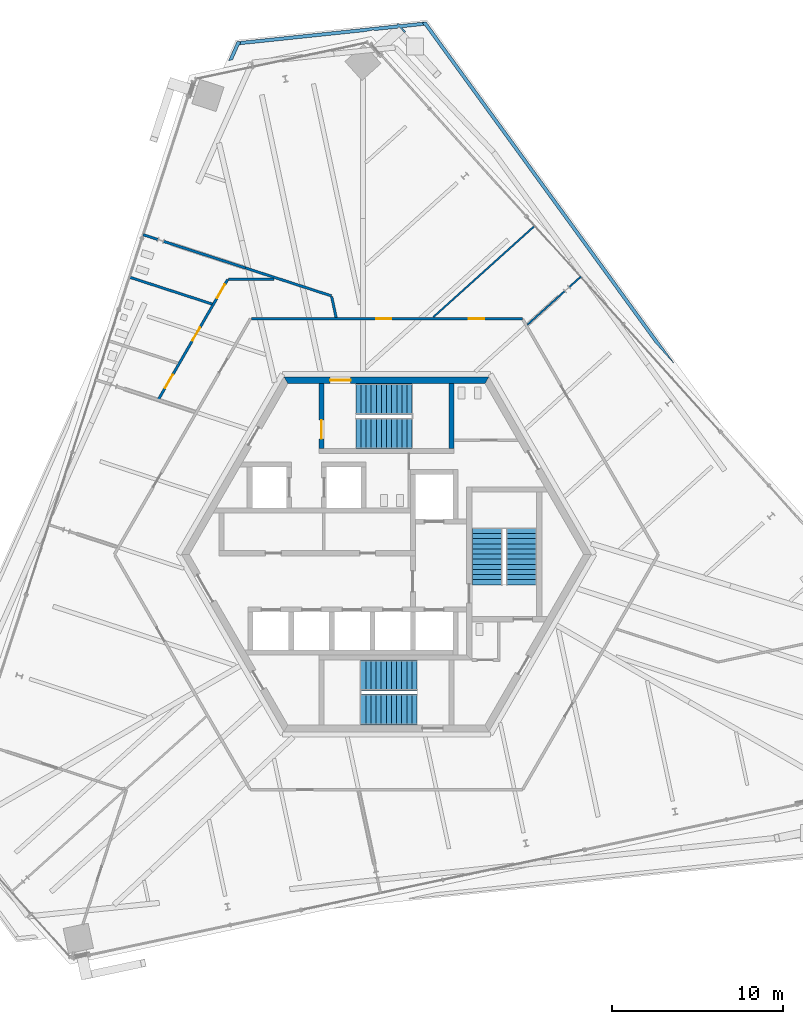
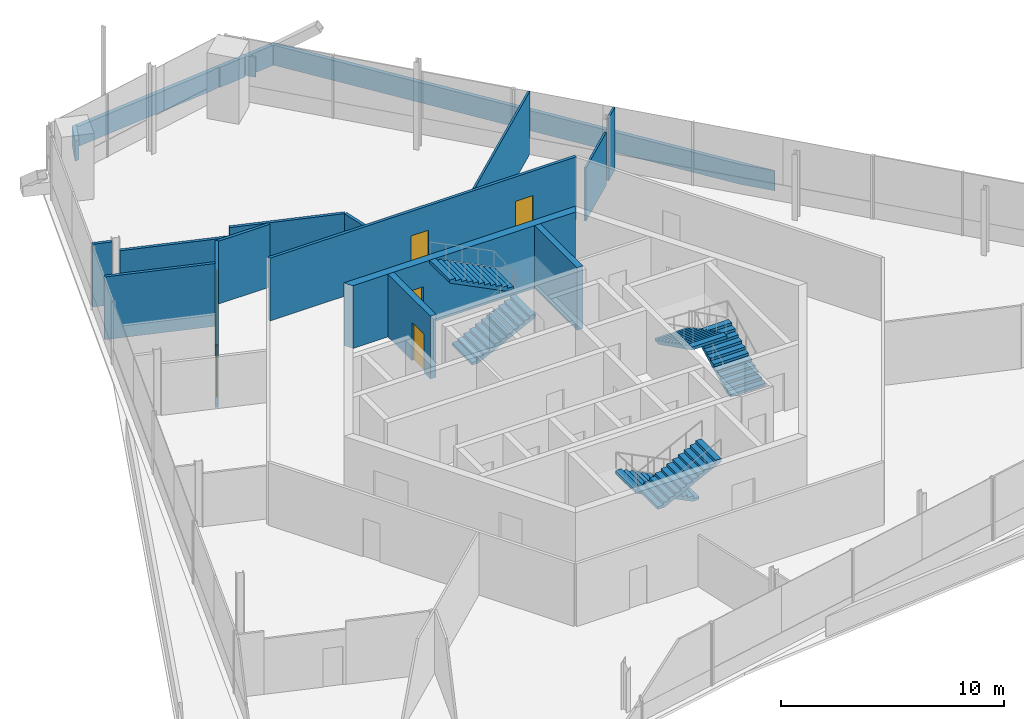
# One storey, part 16 of 20: 17 walls, 7 doors, 6 stair flights, 7 openings, 3 elements without a shape of their own.
"""IFC4 building model written with IfcOpenShell, lengths in metres."""

from ifc_helpers import new_model, si_unit, direction, frame, frame_2d, origin, place, context, subcontext, project, spatial, polyline, rectangle, outline, extrude, source, transform, mapped, material, layer, layer_set, type_object, element, fill, aggregate, save


model = new_model("IFC4")

# Units and contexts
model_context = context("Model", 3, precision=1e-05, world=origin(), true_north=direction((0.0, 1.0)))
body_context = subcontext(model_context, "Body", "Model", "MODEL_VIEW")
ifc_project = project(units=[si_unit("LENGTHUNIT", "METRE"), si_unit("AREAUNIT", "SQUARE_METRE"), si_unit("VOLUMEUNIT", "CUBIC_METRE"), si_unit("PLANEANGLEUNIT", "RADIAN"), si_unit("MASSUNIT", "GRAM", prefix="KILO")], contexts=[model_context])

# Site, building, storey
site_placement = place(None, origin())
site = spatial("IfcSite", under=ifc_project, at=site_placement, CompositionType="ELEMENT")
building_placement = place(site_placement, origin())
building = spatial("IfcBuilding", under=site, at=building_placement, Name="Triune Harvest Tower", CompositionType="ELEMENT")
storey_placement = place(building_placement, frame((0.0, 0.0, 259.5)))
storey = spatial("IfcBuildingStorey", under=building, at=storey_placement, Name="L68", CompositionType="ELEMENT", Elevation=259.5)

# Walls
ifc_material_1 = material(Name="Concrete 40 MPa", Category="concrete")
ifc_layer_1 = layer(ifc_material_1, 0.199951171875)
ifc_layer_set_1 = layer_set([ifc_layer_1], Name="Concrete 40 MPa")
wall_type_1 = type_object("IfcWallType", Name="PA-1 parapet 200", PredefinedType="PARAPET", material=ifc_layer_set_1)
wall_1_placement = place(storey_placement, origin())
element("IfcWall", 1, at=wall_1_placement, inside=storey, type_object=wall_type_1, Name="Parapet wedge L67 2.1", PredefinedType="PARAPET", context=body_context, shape_type="SweptSolid", body=[
    extrude(outline(polyline([(-8.59521484375, 29.826171875), (-8.6181640625, 29.82373046875), (-9.008544921875, 28.947021484375), (-9.25048828125, 28.8955078125), (-8.75390625, 30.010498046875), (-8.63916015625, 30.022705078125), (-8.529296875, 29.973876953125), (-8.59521484375, 29.826171875)])), origin(), (0.0, 0.0, 1.0), 1.10009765625),
])
wall_2_placement = place(storey_placement, origin())
element("IfcWall", 2, at=wall_2_placement, inside=storey, type_object=wall_type_1, Name="Parapet wedge L67 2.2", PredefinedType="PARAPET", context=body_context, shape_type="SweptSolid", body=[
    extrude(outline(polyline([(16.813720703125, 11.22998046875), (16.790771484375, 11.21142578125), (15.69970703125, 12.42333984375), (2.229248046875, 30.964111328125), (2.206298828125, 30.961669921875), (2.111083984375, 31.09228515625), (2.208251953125, 31.1630859375), (2.3232421875, 31.175048828125), (16.813720703125, 11.22998046875)])), origin(), (0.0, 0.0, 1.0), 1.10009765625),
])
wall_3_placement = place(storey_placement, origin())
element("IfcWall", 3, at=wall_3_placement, inside=storey, type_object=wall_type_1, Name="Parapet wedge L67 2.3", PredefinedType="PARAPET", context=body_context, shape_type="SweptSolid", body=[
    extrude(outline(polyline([(-8.59521484375, 29.826171875), (-8.529296875, 29.973876953125), (-8.63916015625, 30.022705078125), (0.639892578125, 30.998046875), (0.614990234375, 31.025634765625), (0.68408203125, 31.087890625), (0.754150390625, 31.010009765625), (2.208251953125, 31.1630859375), (2.111083984375, 31.09228515625), (2.206298828125, 30.961669921875), (0.919677734375, 30.826416015625), (1.119140625, 30.604736328125), (1.050048828125, 30.542724609375), (0.738525390625, 30.888671875), (0.63623046875, 30.796630859375), (-0.7158203125, 30.654541015625), (-0.757568359375, 30.700927734375), (-1.230224609375, 30.600341796875), (-8.59521484375, 29.826171875)])), origin(), (0.0, 0.0, 1.0), 1.10009765625),
])
ifc_material_2 = material(Name="Gypsum board on steel studs", Category="steel")
ifc_layer_2 = layer(ifc_material_2, 0.10009765625)
ifc_layer_set_2 = layer_set([ifc_layer_2], Name="Gypsum board on steel studs")
wall_type_2 = type_object("IfcWallType", Name="Partition 100 mm", PredefinedType="PARTITIONING", material=ifc_layer_set_2)
wall_4_placement = place(storey_placement, frame((2.746337890625, 13.885986328125, 0.0), z_axis=(0.0, 0.0, 1.0), x_axis=(0.743151444716, 0.669123254877, 0.0)))
element("IfcWall", 4, at=wall_4_placement, inside=storey, type_object=wall_type_2, Name="Partition L68 026", PredefinedType="PARTITIONING", context=body_context, shape_type="SweptSolid", body=[
    extrude(rectangle(XDim=7.99755859375, YDim=0.10009765625, at=frame_2d((3.998779296875, 0.0))), origin(), (0.0, 0.0, 1.0), 3.43994140625),
])

# Wall, opening, door
ifc_material_3 = material(Name="Concrete 70 MPa", Category="concrete")
ifc_layer_3 = layer(ifc_material_3, 0.39990234375)
ifc_layer_set_3 = layer_set([ifc_layer_3], Name="Concrete 70 MPa")
wall_type_3 = type_object("IfcWallType", Name="Core wall 400", PredefinedType="SHEAR", material=ifc_layer_set_3)
shared_shape_1 = source(origin(), body_context, "Body", "SweptSolid", [
    extrude(outline(polyline([(-0.115478515625, -0.199951171875), (11.884521484375, -0.199951171875), (11.653564453125, 0.199951171875), (0.115478515625, 0.199951171875), (-0.115478515625, -0.199951171875)])), origin(), (0.0, 0.0, 1.0), 3.43994140625),
])
wall_5_placement = place(storey_placement, frame((5.884521484375, 10.1923828125, 0.0), z_axis=(0.0, 0.0, 1.0), x_axis=(-1.0, 0.0, 0.0)))
wall_5 = element("IfcWall", 5, at=wall_5_placement, inside=storey, type_object=wall_type_3, Name="Hexagon 1 wall", PredefinedType="SHEAR", context=body_context, shape_type="MappedRepresentation", body=[
    mapped(shared_shape_1, transform((0.0, 0.0, 0.0), scale=1.0)),
])
opening_1_placement = place(wall_5_placement, frame((7.984619140625, 0.0, 0.0)))
opening_1 = element("IfcOpeningElement", 6, at=opening_1_placement, cuts=wall_5, Name="Opening CD-S1P", PredefinedType="OPENING", context=body_context, shape_type="SweptSolid", body=[
    extrude(rectangle(XDim=1.199951171875, YDim=2.10009765625, at=frame_2d((0.60009765625, 1.050048828125))), frame((0.0, 0.2099609375, 0.0), z_axis=(0.0, -1.0, 0.0), x_axis=(1.0, 0.0, 0.0)), (0.0, 0.0, 1.0), 0.419921875),
])
ifc_material_4 = material(Name="Steel S235", Category="steel")
door_type_1 = type_object("IfcDoorType", Name="Stair door 1200 FD120", OperationType="SINGLE_SWING_LEFT", PredefinedType="DOOR", material=ifc_material_4)
door_1_placement = place(opening_1_placement, frame((1.199951171875, 0.0, 0.0), z_axis=(0.0, 0.0, 1.0), x_axis=(-1.0, 0.0, 0.0)))
door_1 = element("IfcDoor", 7, at=door_1_placement, inside=storey, type_object=door_type_1, Name="Door CD-S1P", OperationType="SINGLE_SWING_RIGHT", OverallHeight=2.10009765625, OverallWidth=1.199951171875, PredefinedType="DOOR", context=body_context, shape_type="SweptSolid", body=[
    extrude(rectangle(XDim=1.199951171875, YDim=2.10009765625, at=frame_2d((0.60009765625, 1.050048828125))), frame((0.0, 0.02490234375, 0.0), z_axis=(0.0, -1.0, 0.0), x_axis=(1.0, 0.0, 0.0)), (0.0, 0.0, 1.0), 0.050048828125),
])
fill(opening_1, door_1)

ifc_material_5 = material(Name="Concrete 70 MPa", Category="concrete")
ifc_layer_4 = layer(ifc_material_5, 0.300048828125)
ifc_layer_set_4 = layer_set([ifc_layer_4], Name="Concrete 70 MPa")
wall_type_4 = type_object("IfcWallType", Name="Core wall 300", PredefinedType="SHEAR", material=ifc_layer_set_4)
shared_shape_2 = source(origin(), body_context, "Body", "SweptSolid", [
    extrude(outline(polyline([(0.0, -0.14990234375), (0.0, 0.14990234375), (3.80419921875, 0.14990234375), (3.80419921875, -0.14990234375), (0.0, -0.14990234375)])), origin(), (0.0, 0.0, 1.0), 3.43994140625),
])
wall_6_placement = place(storey_placement, frame((-3.800048828125, 6.18994140625, 0.0), z_axis=(0.0, 0.0, 1.0), x_axis=(0.0, 1.0, 0.0)))
wall_6 = element("IfcWall", 8, at=wall_6_placement, inside=storey, type_object=wall_type_4, Name="Stair n west wall", PredefinedType="SHEAR", context=body_context, shape_type="MappedRepresentation", body=[
    mapped(shared_shape_2, transform((0.0, 0.0, 0.0), scale=1.0)),
])
opening_2_placement = place(wall_6_placement, frame((0.56005859375, 0.0, 0.0)))
opening_2 = element("IfcOpeningElement", 9, at=opening_2_placement, cuts=wall_6, Name="Opening CD-S1L", PredefinedType="OPENING", context=body_context, shape_type="SweptSolid", body=[
    extrude(rectangle(XDim=1.10009765625, YDim=2.10009765625, at=frame_2d((0.550048828125, 1.050048828125))), frame((0.0, 0.16015625, 0.0), z_axis=(0.0, -1.0, 0.0), x_axis=(1.0, 0.0, 0.0)), (0.0, 0.0, 1.0), 0.320068359375),
])
ifc_material_6 = material(Name="Steel S235", Category="steel")
door_type_2 = type_object("IfcDoorType", Name="Stair door 1100 FD120", OperationType="SINGLE_SWING_LEFT", PredefinedType="DOOR", material=ifc_material_6)
door_2_placement = place(opening_2_placement, frame((1.10009765625, 0.0, 0.0), z_axis=(0.0, 0.0, 1.0), x_axis=(-1.0, 0.0, 0.0)))
door_2 = element("IfcDoor", 10, at=door_2_placement, inside=storey, type_object=door_type_2, Name="Door CD-S1L", OperationType="SINGLE_SWING_RIGHT", OverallHeight=2.10009765625, OverallWidth=1.10009765625, PredefinedType="DOOR", context=body_context, shape_type="SweptSolid", body=[
    extrude(rectangle(XDim=1.10009765625, YDim=2.10009765625, at=frame_2d((0.550048828125, 1.050048828125))), frame((0.0, 0.02490234375, 0.0), z_axis=(0.0, -1.0, 0.0), x_axis=(1.0, 0.0, 0.0)), (0.0, 0.0, 1.0), 0.050048828125),
])
fill(opening_2, door_2)

# Walls
wall_7_placement = place(storey_placement, frame((3.800048828125, 6.18994140625, 0.0), z_axis=(0.0, 0.0, 1.0), x_axis=(0.0, 1.0, 0.0)))
element("IfcWall", 11, at=wall_7_placement, inside=storey, type_object=wall_type_4, Name="Stair n east wall", PredefinedType="SHEAR", context=body_context, shape_type="MappedRepresentation", body=[
    mapped(shared_shape_2, transform((0.0, 0.0, 0.0), scale=1.0)),
])
ifc_material_7 = material(Name="Gypsum board on steel studs", Category="steel")
ifc_layer_5 = layer(ifc_material_7, 0.14990234375)
ifc_layer_set_5 = layer_set([ifc_layer_5], Name="Gypsum board on steel studs")
wall_type_5 = type_object("IfcWallType", Name="Fire Partition 150 mm", PredefinedType="PARTITIONING", material=ifc_layer_set_5)
shared_shape_3 = source(origin(), body_context, "Body", "SweptSolid", [
    extrude(rectangle(XDim=1.25341796875, YDim=0.14990234375, at=frame_2d((0.626708984375, 0.0))), origin(), (0.0, 0.0, 1.0), 3.43994140625),
])
wall_8_placement = place(storey_placement, frame((-3.206787109375, 15.0869140625, 0.0), z_axis=(0.0, 0.0, 1.0), x_axis=(0.207826142567, -0.978165780666, 0.0)))
element("IfcWall", 12, at=wall_8_placement, inside=storey, type_object=wall_type_5, Name="Partition L68 003", PredefinedType="PARTITIONING", context=body_context, shape_type="MappedRepresentation", body=[
    mapped(shared_shape_3, transform((0.0, 0.0, 0.0), scale=1.0)),
])
shared_shape_4 = source(origin(), body_context, "Body", "SweptSolid", [
    extrude(rectangle(XDim=2.95458984375, YDim=0.10009765625, at=frame_2d((1.477294921875, 0.0))), origin(), (0.0, 0.0, 1.0), 2.904052734375),
])
wall_9_placement = place(storey_placement, frame((8.248779296875, 13.43408203125, 0.0), z_axis=(0.0, 0.0, 1.0), x_axis=(0.743154438843, 0.669119929481, 0.0)))
element("IfcWall", 13, at=wall_9_placement, inside=storey, type_object=wall_type_2, Name="Partition L68 024", PredefinedType="PARTITIONING", context=body_context, shape_type="MappedRepresentation", body=[
    mapped(shared_shape_4, transform((0.0, 0.0, 0.0), scale=1.0)),
])
shared_shape_5 = source(origin(), body_context, "Body", "SweptSolid", [
    extrude(rectangle(XDim=5.099609375, YDim=0.14990234375, at=frame_2d((2.5498046875, 0.0))), origin(), (0.0, 0.0, 1.0), 3.43994140625),
])
wall_10_placement = place(storey_placement, frame((-15.052490234375, 16.2265625, 0.0), z_axis=(0.0, 0.0, 1.0), x_axis=(0.951054471747, -0.309023286778, 0.0)))
element("IfcWall", 14, at=wall_10_placement, inside=storey, type_object=wall_type_5, Name="Partition L68 014", PredefinedType="PARTITIONING", context=body_context, shape_type="MappedRepresentation", body=[
    mapped(shared_shape_5, transform((0.0, 0.0, 0.0), scale=1.0)),
])
shared_shape_6 = source(origin(), body_context, "Body", "SweptSolid", [
    extrude(rectangle(XDim=0.91552734375, YDim=0.14990234375, at=frame_2d((0.457763671875, 0.0))), origin(), (0.0, 0.0, 1.0), 3.43994140625),
])
wall_11_placement = place(storey_placement, frame((-14.24560546875, 18.7099609375, 0.0), z_axis=(0.0, 0.0, 1.0), x_axis=(0.951030148904, -0.309098133084, 0.0)))
element("IfcWall", 15, at=wall_11_placement, inside=storey, type_object=wall_type_5, Name="Partition L68 015", PredefinedType="PARTITIONING", context=body_context, shape_type="MappedRepresentation", body=[
    mapped(shared_shape_6, transform((0.0, 0.0, 0.0), scale=1.0)),
])
shared_shape_7 = source(origin(), body_context, "Body", "SweptSolid", [
    extrude(rectangle(XDim=5.042236328125, YDim=0.14990234375, at=frame_2d((2.52099609375, 0.0))), origin(), (0.0, 0.0, 1.0), 2.904052734375),
])
wall_12_placement = place(storey_placement, frame((-13.051025390625, 18.32177734375, 0.0), z_axis=(0.0, 0.0, 1.0), x_axis=(0.951057550444, -0.309013811574, 0.0)))
element("IfcWall", 16, at=wall_12_placement, inside=storey, type_object=wall_type_5, Name="Partition L68 016", PredefinedType="PARTITIONING", context=body_context, shape_type="MappedRepresentation", body=[
    mapped(shared_shape_7, transform((0.0, 0.0, 0.0), scale=1.0)),
])
shared_shape_8 = source(origin(), body_context, "Body", "SweptSolid", [
    extrude(rectangle(XDim=5.2998046875, YDim=0.14990234375, at=frame_2d((2.64990234375, 0.0))), origin(), (0.0, 0.0, 1.0), 3.43994140625),
])
wall_13_placement = place(storey_placement, frame((-8.255615234375, 16.763671875, 0.0), z_axis=(0.0, 0.0, 1.0), x_axis=(0.951060470027, -0.309004825775, 0.0)))
element("IfcWall", 17, at=wall_13_placement, inside=storey, type_object=wall_type_5, Name="Partition L68 016a", PredefinedType="PARTITIONING", context=body_context, shape_type="MappedRepresentation", body=[
    mapped(shared_shape_8, transform((0.0, 0.0, 0.0), scale=1.0)),
])

# Wall, openings, doors
shared_shape_9 = source(origin(), body_context, "Body", "SweptSolid", [
    extrude(rectangle(XDim=15.8759765625, YDim=0.14990234375, at=frame_2d((7.93798828125, 0.0))), origin(), (0.0, 0.0, 1.0), 3.43994140625),
])
wall_14_placement = place(storey_placement, frame((-7.9130859375, 13.792236328125, 0.0), z_axis=(0.0, 0.0, 1.0), x_axis=(1.0, 0.0, 0.0)))
wall_14 = element("IfcWall", 18, at=wall_14_placement, inside=storey, type_object=wall_type_5, Name="Partition L68 018", PredefinedType="PARTITIONING", context=body_context, shape_type="MappedRepresentation", body=[
    mapped(shared_shape_9, transform((0.0, 0.0, 0.0), scale=1.0)),
])
opening_3_placement = place(wall_14_placement, frame((7.305419921875, 0.0, 0.0)))
opening_3 = element("IfcOpeningElement", 19, at=opening_3_placement, cuts=wall_14, Name="Opening L68-002", PredefinedType="OPENING", context=body_context, shape_type="SweptSolid", body=[
    extrude(rectangle(XDim=0.89990234375, YDim=2.10009765625, at=frame_2d((0.449951171875, 1.050048828125))), frame((0.0, 0.0849609375, 0.0), z_axis=(0.0, -1.0, 0.0), x_axis=(1.0, 0.0, 0.0)), (0.0, 0.0, 1.0), 0.169921875),
])
opening_4_placement = place(wall_14_placement, frame((12.72607421875, 0.0, 0.0)))
opening_4 = element("IfcOpeningElement", 20, at=opening_4_placement, cuts=wall_14, Name="Opening L68-003", PredefinedType="OPENING", context=body_context, shape_type="SweptSolid", body=[
    extrude(rectangle(XDim=0.89990234375, YDim=2.10009765625, at=frame_2d((0.449951171875, 1.050048828125))), frame((0.0, 0.0849609375, 0.0), z_axis=(0.0, -1.0, 0.0), x_axis=(1.0, 0.0, 0.0)), (0.0, 0.0, 1.0), 0.169921875),
])
ifc_material_8 = material(Name="Timber and steel door set", Category="steel")
door_type_3 = type_object("IfcDoorType", Name="Single leaf door FD30 left hand 900 x 2100", OperationType="SINGLE_SWING_LEFT", PredefinedType="DOOR", material=ifc_material_8)
door_3_placement = place(opening_3_placement, origin())
door_3 = element("IfcDoor", 21, at=door_3_placement, inside=storey, type_object=door_type_3, Name="Door L68-002 Open Office 68.02", OperationType="SINGLE_SWING_LEFT", OverallHeight=2.10009765625, OverallWidth=0.89990234375, PredefinedType="DOOR", context=body_context, shape_type="SweptSolid", body=[
    extrude(rectangle(XDim=0.89990234375, YDim=2.10009765625, at=frame_2d((0.449951171875, 1.050048828125))), frame((0.0, 0.02490234375, 0.0), z_axis=(0.0, -1.0, 0.0), x_axis=(1.0, 0.0, 0.0)), (0.0, 0.0, 1.0), 0.050048828125),
])
fill(opening_3, door_3)
ifc_material_9 = material(Name="Timber and steel door set", Category="steel")
door_type_4 = type_object("IfcDoorType", Name="Single leaf door FD30 right hand 900 x 2100", OperationType="SINGLE_SWING_RIGHT", PredefinedType="DOOR", material=ifc_material_9)
door_4_placement = place(opening_4_placement, origin())
door_4 = element("IfcDoor", 22, at=door_4_placement, inside=storey, type_object=door_type_4, Name="Door L68-003 Pantry 68.03", OperationType="SINGLE_SWING_RIGHT", OverallHeight=2.10009765625, OverallWidth=0.89990234375, PredefinedType="DOOR", context=body_context, shape_type="SweptSolid", body=[
    extrude(rectangle(XDim=0.89990234375, YDim=2.10009765625, at=frame_2d((0.449951171875, 1.050048828125))), frame((0.0, 0.02490234375, 0.0), z_axis=(0.0, -1.0, 0.0), x_axis=(1.0, 0.0, 0.0)), (0.0, 0.0, 1.0), 0.050048828125),
])
fill(opening_4, door_4)

# Walls
shared_shape_10 = source(origin(), body_context, "Body", "SweptSolid", [
    extrude(rectangle(XDim=2.658935546875, YDim=0.14990234375, at=frame_2d((1.32958984375, 0.0))), origin(), (0.0, 0.0, 1.0), 3.43994140625),
])
wall_15_placement = place(storey_placement, frame((-9.240966796875, 16.09228515625, 0.0), z_axis=(0.0, 0.0, 1.0), x_axis=(1.0, 0.0, 0.0)))
element("IfcWall", 23, at=wall_15_placement, inside=storey, type_object=wall_type_5, Name="Partition L68 019", PredefinedType="PARTITIONING", context=body_context, shape_type="MappedRepresentation", body=[
    mapped(shared_shape_10, transform((0.0, 0.0, 0.0), scale=1.0)),
])
shared_shape_11 = source(origin(), body_context, "Body", "SweptSolid", [
    extrude(rectangle(XDim=0.915283203125, YDim=0.10009765625, at=frame_2d((0.45751953125, 0.0))), origin(), (0.0, 0.0, 1.0), 3.43994140625),
])
wall_16_placement = place(storey_placement, frame((10.69775390625, 15.63916015625, 0.0), z_axis=(0.0, 0.0, 1.0), x_axis=(0.743081911728, 0.669200472551, 0.0)))
element("IfcWall", 24, at=wall_16_placement, inside=storey, type_object=wall_type_2, Name="Partition L68 025", PredefinedType="PARTITIONING", context=body_context, shape_type="MappedRepresentation", body=[
    mapped(shared_shape_11, transform((0.0, 0.0, 0.0), scale=1.0)),
])

# Wall, openings, doors
shared_shape_12 = source(origin(), body_context, "Body", "SweptSolid", [
    extrude(rectangle(XDim=8.14794921875, YDim=0.14990234375, at=frame_2d((4.073974609375, 0.0))), origin(), (0.0, 0.0, 1.0), 3.43994140625),
])
wall_17_placement = place(storey_placement, frame((-13.36474609375, 9.0361328125, 0.0), z_axis=(0.0, 0.0, 1.0), x_axis=(0.499996520581, 0.866027412618, 0.0)))
wall_17 = element("IfcWall", 25, at=wall_17_placement, inside=storey, type_object=wall_type_5, Name="Partition L68 029", PredefinedType="PARTITIONING", context=body_context, shape_type="MappedRepresentation", body=[
    mapped(shared_shape_12, transform((0.0, 0.0, 0.0), scale=1.0)),
])
opening_5_placement = place(wall_17_placement, frame((6.897705078125, 0.0, 0.0)))
opening_5 = element("IfcOpeningElement", 26, at=opening_5_placement, cuts=wall_17, Name="Opening L68-005", PredefinedType="OPENING", context=body_context, shape_type="SweptSolid", body=[
    extrude(rectangle(XDim=0.89990234375, YDim=2.10009765625, at=frame_2d((0.449951171875, 1.050048828125))), frame((0.0, 0.0849609375, 0.0), z_axis=(0.0, -1.0, 0.0), x_axis=(1.0, 0.0, 0.0)), (0.0, 0.0, 1.0), 0.169921875),
])
opening_6_placement = place(wall_17_placement, frame((4.008056640625, 0.0, 0.0)))
opening_6 = element("IfcOpeningElement", 27, at=opening_6_placement, cuts=wall_17, Name="Opening L68-006", PredefinedType="OPENING", context=body_context, shape_type="SweptSolid", body=[
    extrude(rectangle(XDim=0.89990234375, YDim=2.10009765625, at=frame_2d((0.449951171875, 1.050048828125))), frame((0.0, 0.0849609375, 0.0), z_axis=(0.0, -1.0, 0.0), x_axis=(1.0, 0.0, 0.0)), (0.0, 0.0, 1.0), 0.169921875),
])
opening_7_placement = place(wall_17_placement, frame((0.8037109375, 0.0, 0.0)))
opening_7 = element("IfcOpeningElement", 28, at=opening_7_placement, cuts=wall_17, Name="Opening L68-007", PredefinedType="OPENING", context=body_context, shape_type="SweptSolid", body=[
    extrude(rectangle(XDim=0.89990234375, YDim=2.10009765625, at=frame_2d((0.449951171875, 1.050048828125))), frame((0.0, 0.0849609375, 0.0), z_axis=(0.0, -1.0, 0.0), x_axis=(1.0, 0.0, 0.0)), (0.0, 0.0, 1.0), 0.169921875),
])
door_5_placement = place(opening_7_placement, origin())
door_5 = element("IfcDoor", 29, at=door_5_placement, inside=storey, type_object=door_type_3, Name="Door L68-007 Accessible WC 68.07", OperationType="SINGLE_SWING_LEFT", OverallHeight=2.10009765625, OverallWidth=0.89990234375, PredefinedType="DOOR", context=body_context, shape_type="SweptSolid", body=[
    extrude(rectangle(XDim=0.89990234375, YDim=2.10009765625, at=frame_2d((0.449951171875, 1.050048828125))), frame((0.0, 0.02490234375, 0.0), z_axis=(0.0, -1.0, 0.0), x_axis=(1.0, 0.0, 0.0)), (0.0, 0.0, 1.0), 0.050048828125),
])
fill(opening_7, door_5)
door_6_placement = place(opening_5_placement, origin())
door_6 = element("IfcDoor", 30, at=door_6_placement, inside=storey, type_object=door_type_4, Name="Door L68-005 Women's WC 68.05", OperationType="SINGLE_SWING_RIGHT", OverallHeight=2.10009765625, OverallWidth=0.89990234375, PredefinedType="DOOR", context=body_context, shape_type="SweptSolid", body=[
    extrude(rectangle(XDim=0.89990234375, YDim=2.10009765625, at=frame_2d((0.449951171875, 1.050048828125))), frame((0.0, 0.02490234375, 0.0), z_axis=(0.0, -1.0, 0.0), x_axis=(1.0, 0.0, 0.0)), (0.0, 0.0, 1.0), 0.050048828125),
])
fill(opening_5, door_6)
door_7_placement = place(opening_6_placement, origin())
door_7 = element("IfcDoor", 31, at=door_7_placement, inside=storey, type_object=door_type_4, Name="Door L68-006 Men's WC 68.06", OperationType="SINGLE_SWING_RIGHT", OverallHeight=2.10009765625, OverallWidth=0.89990234375, PredefinedType="DOOR", context=body_context, shape_type="SweptSolid", body=[
    extrude(rectangle(XDim=0.89990234375, YDim=2.10009765625, at=frame_2d((0.449951171875, 1.050048828125))), frame((0.0, 0.02490234375, 0.0), z_axis=(0.0, -1.0, 0.0), x_axis=(1.0, 0.0, 0.0)), (0.0, 0.0, 1.0), 0.050048828125),
])
fill(opening_6, door_7)

# Stair, stair flights
ifc_material_10 = material(Name="Concrete 40 MPa", Category="concrete")
stair_type = type_object("IfcStairType", Name="Exit stair 1800 half turn", PredefinedType="HALF_TURN_STAIR", material=ifc_material_10)
stair_1_placement = place(storey_placement, origin())
stair_1 = element("IfcStair", 32, at=stair_1_placement, inside=storey, type_object=stair_type, Name="Exit stair north", PredefinedType="HALF_TURN_STAIR")
ifc_material_11 = material(Name="Concrete 40 MPa", Category="concrete")
stair_flight_type = type_object("IfcStairFlightType", Name="Stair flight 1800", PredefinedType="STRAIGHT", material=ifc_material_11)
shared_shape_13 = source(origin(), body_context, "Body", "SweptSolid", [
    extrude(outline(polyline([(0.0, 0.0), (0.0, 0.14990234375), (0.300048828125, 0.14990234375), (0.300048828125, 0.300048828125), (0.60009765625, 0.300048828125), (0.60009765625, 0.449951171875), (0.89990234375, 0.449951171875), (0.89990234375, 0.60009765625), (1.199951171875, 0.60009765625), (1.199951171875, 0.75), (1.5, 0.75), (1.5, 0.89990234375), (1.800048828125, 0.89990234375), (1.800048828125, 1.050048828125), (2.10009765625, 1.050048828125), (2.10009765625, 1.199951171875), (2.39990234375, 1.199951171875), (2.39990234375, 1.35009765625), (2.699951171875, 1.35009765625), (2.699951171875, 1.5), (3.0, 1.5), (3.0, 1.64990234375), (3.300048828125, 1.64990234375), (3.300048828125, 1.800048828125), (3.300048828125, 1.482421875), (0.335205078125, 0.0), (0.0, 0.0)])), frame((0.0, 0.89990234375, 0.0), z_axis=(0.0, -1.0, 0.0), x_axis=(1.0, 0.0, 0.0)), (0.0, 0.0, 1.0), 1.800048828125),
])
stair_flight_1_placement = place(storey_placement, frame((-1.7900390625, 7.090087890625, 0.0), z_axis=(0.0, 0.0, 1.0), x_axis=(1.0, 0.0, 0.0)))
stair_flight_1 = element("IfcStairFlight", 33, at=stair_flight_1_placement, type_object=stair_flight_type, Name="ST-1 flight 1", NumberOfRisers=12, NumberOfTreads=11, PredefinedType="STRAIGHT", RiserHeight=0.15, TreadLength=0.3, context=body_context, shape_type="MappedRepresentation", body=[
    mapped(shared_shape_13, transform((0.0, 0.0, 0.0), scale=1.0)),
])
stair_flight_2_placement = place(storey_placement, frame((1.510009765625, 9.090087890625, 1.800048828125), z_axis=(0.0, 0.0, 1.0), x_axis=(-1.0, 0.0, 0.0)))
stair_flight_2 = element("IfcStairFlight", 34, at=stair_flight_2_placement, type_object=stair_flight_type, Name="ST-1 flight 2", NumberOfRisers=12, NumberOfTreads=11, PredefinedType="STRAIGHT", RiserHeight=0.15, TreadLength=0.3, context=body_context, shape_type="MappedRepresentation", body=[
    mapped(shared_shape_13, transform((0.0, 0.0, 0.0), scale=1.0)),
])
aggregate(stair_1, [stair_flight_1, stair_flight_2])

stair_2_placement = place(storey_placement, origin())
stair_2 = element("IfcStair", 35, at=stair_2_placement, inside=storey, type_object=stair_type, Name="Exit stair south", PredefinedType="HALF_TURN_STAIR")
stair_flight_3_placement = place(storey_placement, frame((1.7900390625, -7.090087890625, 0.0), z_axis=(0.0, 0.0, 1.0), x_axis=(-1.0, 0.0, 0.0)))
stair_flight_3 = element("IfcStairFlight", 36, at=stair_flight_3_placement, type_object=stair_flight_type, Name="ST-2 flight 1", NumberOfRisers=12, NumberOfTreads=11, PredefinedType="STRAIGHT", RiserHeight=0.15, TreadLength=0.3, context=body_context, shape_type="MappedRepresentation", body=[
    mapped(shared_shape_13, transform((0.0, 0.0, 0.0), scale=1.0)),
])
stair_flight_4_placement = place(storey_placement, frame((-1.510009765625, -9.090087890625, 1.800048828125), z_axis=(0.0, 0.0, 1.0), x_axis=(1.0, 0.0, 0.0)))
stair_flight_4 = element("IfcStairFlight", 37, at=stair_flight_4_placement, type_object=stair_flight_type, Name="ST-2 flight 2", NumberOfRisers=12, NumberOfTreads=11, PredefinedType="STRAIGHT", RiserHeight=0.15, TreadLength=0.3, context=body_context, shape_type="MappedRepresentation", body=[
    mapped(shared_shape_13, transform((0.0, 0.0, 0.0), scale=1.0)),
])
aggregate(stair_2, [stair_flight_3, stair_flight_4])

stair_3_placement = place(storey_placement, origin())
stair_3 = element("IfcStair", 38, at=stair_3_placement, inside=storey, type_object=stair_type, Name="Exit stair east", PredefinedType="HALF_TURN_STAIR")
stair_flight_5_placement = place(storey_placement, frame((7.89990234375, -1.7900390625, 0.0), z_axis=(0.0, 0.0, 1.0), x_axis=(0.0, 1.0, 0.0)))
stair_flight_5 = element("IfcStairFlight", 39, at=stair_flight_5_placement, type_object=stair_flight_type, Name="ST-3 flight 1", NumberOfRisers=12, NumberOfTreads=11, PredefinedType="STRAIGHT", RiserHeight=0.15, TreadLength=0.3, context=body_context, shape_type="MappedRepresentation", body=[
    mapped(shared_shape_13, transform((0.0, 0.0, 0.0), scale=1.0)),
])
stair_flight_6_placement = place(storey_placement, frame((5.89990234375, 1.510009765625, 1.800048828125), z_axis=(0.0, 0.0, 1.0), x_axis=(0.0, -1.0, 0.0)))
stair_flight_6 = element("IfcStairFlight", 40, at=stair_flight_6_placement, type_object=stair_flight_type, Name="ST-3 flight 2", NumberOfRisers=12, NumberOfTreads=11, PredefinedType="STRAIGHT", RiserHeight=0.15, TreadLength=0.3, context=body_context, shape_type="MappedRepresentation", body=[
    mapped(shared_shape_13, transform((0.0, 0.0, 0.0), scale=1.0)),
])
aggregate(stair_3, [stair_flight_5, stair_flight_6])

save(model, "model.ifc")
